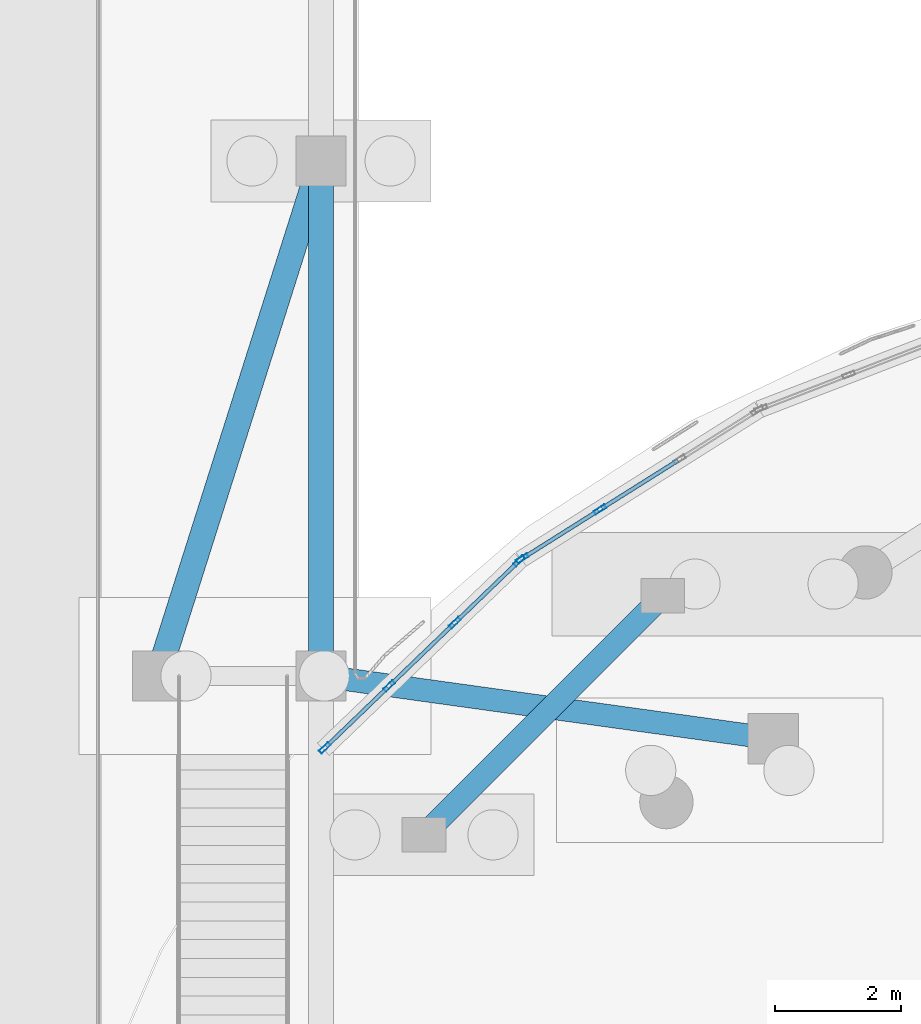
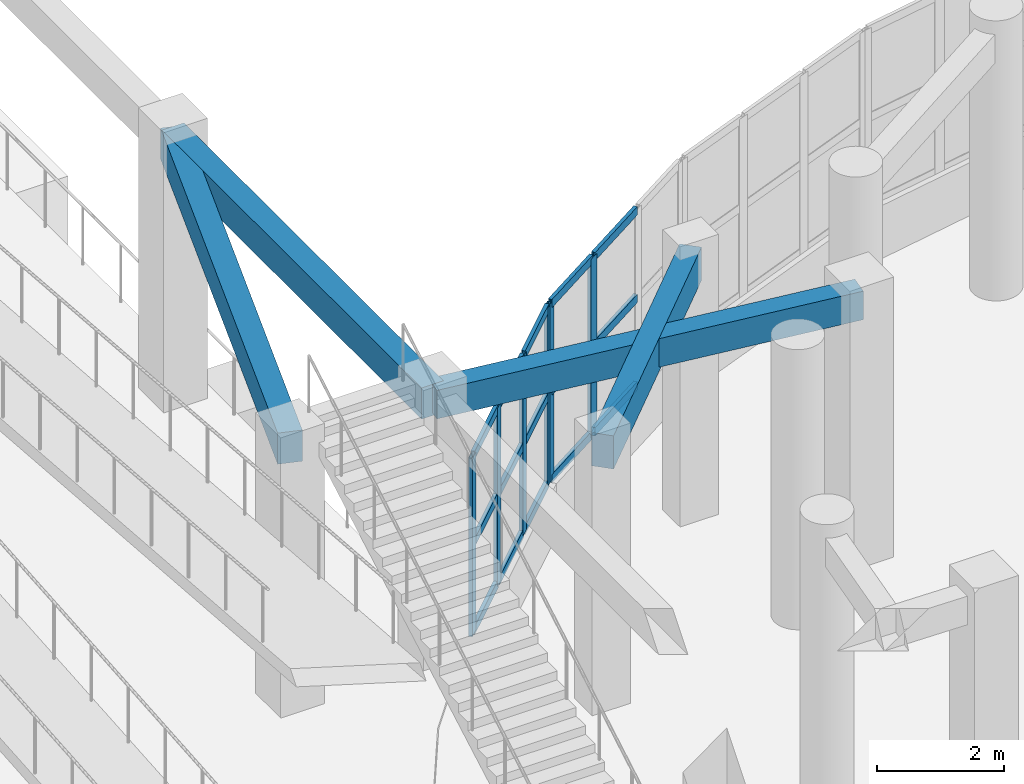
# One storey, part 35 of 96: 21 members, 4 beams, 2 elements without a shape of their own.
"""IFC4 building model written with IfcOpenShell, lengths in metres."""

from ifc_helpers import new_model, si_unit, direction, frame, origin, origin_2d, place, context, subcontext, project, spatial, rectangle, hollow_rectangle, extrude, material, layer, layer_set, material_profile, profile_set, type_object, element, aggregate, save


model = new_model("IFC4")

# Units and contexts
model_context = context("Model", 3, precision=1e-05, world=origin(), true_north=direction((0.0, 1.0)))
body_context = subcontext(model_context, "Body", "Model", "MODEL_VIEW")
ifc_project = project(units=[si_unit("LENGTHUNIT", "METRE"), si_unit("AREAUNIT", "SQUARE_METRE"), si_unit("VOLUMEUNIT", "CUBIC_METRE"), si_unit("PLANEANGLEUNIT", "RADIAN"), si_unit("MASSUNIT", "GRAM", prefix="KILO")], contexts=[model_context])

# Site, building, storey
site_placement = place(None, origin())
site = spatial("IfcSite", under=ifc_project, at=site_placement, CompositionType="ELEMENT")
building_placement = place(site_placement, origin())
building = spatial("IfcBuilding", under=site, at=building_placement, Name="Pelvatis Terrace Science Centre", CompositionType="ELEMENT")
storey_placement = place(building_placement, origin())
storey = spatial("IfcBuildingStorey", under=building, at=storey_placement, Name="L00", CompositionType="ELEMENT", Elevation=0.0)

# Beams
ifc_material_1 = material(Name="Concrete C35/45", Category="concrete")
ifc_material_profile_1 = material_profile(ifc_material_1, rectangle(XDim=0.360107421875, YDim=0.550048828125, at=origin_2d()), Name="RC-BM 360x550")
ifc_profile_set_1 = profile_set([ifc_material_profile_1], Name="Concrete C35/45")
beam_type_1 = type_object("IfcBeamType", Name="BM-RC-360x550", PredefinedType="BEAM", material=ifc_profile_set_1)
beam_1_placement = place(storey_placement, frame((58.199951171875, 65.800048828125, 4.864990234375), z_axis=(0.990492146053, -0.13756928657, 0.0), x_axis=(0.13756928657, 0.990492146053, 0.0)))
element("IfcBeam", 1, at=beam_1_placement, inside=storey, type_object=beam_type_1, Name="Beam BM-L00-2532", PredefinedType="BEAM", context=body_context, shape_type="SweptSolid", body=[
    extrude(rectangle(XDim=0.360107421875, YDim=0.550048828125, at=origin_2d()), origin(), (0.0, 0.0, 1.0), 7.26904296875),
])
ifc_material_2 = material(Name="Concrete C35/45", Category="concrete")
ifc_material_profile_2 = material_profile(ifc_material_2, rectangle(XDim=0.39990234375, YDim=0.60009765625, at=origin_2d()), Name="RC-BM 400x600")
ifc_profile_set_2 = profile_set([ifc_material_profile_2], Name="Concrete C35/45")
beam_type_2 = type_object("IfcBeamType", Name="BM-RC-400x600", PredefinedType="BEAM", material=ifc_profile_set_2)
beam_2_placement = place(storey_placement, frame((58.199951171875, 65.800048828125, 4.840087890625), z_axis=(0.0, 1.0, 0.0), x_axis=(-1.0, 0.0, 0.0)))
element("IfcBeam", 2, at=beam_2_placement, inside=storey, type_object=beam_type_2, Name="Beam BM-L00-2531", PredefinedType="BEAM", context=body_context, shape_type="SweptSolid", body=[
    extrude(rectangle(XDim=0.39990234375, YDim=0.60009765625, at=origin_2d()), origin(), (0.0, 0.0, 1.0), 8.199951171875),
])
beam_3_placement = place(storey_placement, frame((58.199951171875, 74.0, 4.840087890625), z_axis=(-0.302230023012, -0.953235025159, 0.0), x_axis=(0.953235025159, -0.302230023012, 0.0)))
element("IfcBeam", 3, at=beam_3_placement, inside=storey, type_object=beam_type_2, Name="Beam BM-L00-2534", PredefinedType="BEAM", context=body_context, shape_type="SweptSolid", body=[
    extrude(rectangle(XDim=0.39990234375, YDim=0.60009765625, at=origin_2d()), origin(), (0.0, 0.0, 1.0), 8.602294921875),
])

# Curtain wall, members
ifc_material_3 = material(Name="Bronze-anodised aluminium and laminated glass", Category="aluminium")
ifc_layer = layer(ifc_material_3, 0.199951171875)
ifc_layer_set = layer_set([ifc_layer], Name="Bronze-anodised aluminium and laminated glass")
curtain_wall_type = type_object("IfcCurtainWallType", Name="CW-RIBBON-B", PredefinedType="NOTDEFINED", material=ifc_layer_set)
curtain_wall_1_placement = place(storey_placement, origin())
curtain_wall_1 = element("IfcCurtainWall", 4, at=curtain_wall_1_placement, inside=storey, type_object=curtain_wall_type, Name="Ribbon curtain wall CW-049 (L00)", PredefinedType="NOTDEFINED")
ifc_material_4 = material(Name="Bronze-anodised aluminium 6063-T6", Category="aluminium")
ifc_material_profile_3 = material_profile(ifc_material_4, hollow_rectangle(XDim=0.06494140625, YDim=0.199951171875, WallThickness=0.00439453125, at=origin_2d()), Name="ALU-MUL 65x200")
ifc_profile_set_3 = profile_set([ifc_material_profile_3], Name="Bronze-anodised aluminium 6063-T6")
member_type_1 = type_object("IfcMemberType", Name="CWM-65x200", PredefinedType="MULLION", material=ifc_profile_set_3)
member_1_placement = place(storey_placement, frame((62.6435546875, 68.450927734375, 1.02001953125), z_axis=(0.0, 0.0, 1.0), x_axis=(0.532700945499, -0.846303552317, 0.0)))
member_1 = element("IfcMember", 5, at=member_1_placement, type_object=member_type_1, Name="CW-049 mullion 3", PredefinedType="MULLION", context=body_context, shape_type="SweptSolid", body=[
    extrude(hollow_rectangle(XDim=0.06494140625, YDim=0.199951171875, WallThickness=0.00439453125, at=origin_2d()), origin(), (0.0, 0.0, 1.0), 3.43994140625),
])
member_2_placement = place(storey_placement, frame((61.405517578125, 67.671630859375, 1.02001953125), z_axis=(0.0, 0.0, 1.0), x_axis=(0.532700945499, -0.846303552317, 0.0)))
member_2 = element("IfcMember", 6, at=member_2_placement, type_object=member_type_1, Name="CW-049 mullion 4", PredefinedType="MULLION", context=body_context, shape_type="SweptSolid", body=[
    extrude(hollow_rectangle(XDim=0.06494140625, YDim=0.199951171875, WallThickness=0.00439453125, at=origin_2d()), origin(), (0.0, 0.0, 1.0), 3.43994140625),
])

curtain_wall_2_placement = place(storey_placement, origin())
curtain_wall_2 = element("IfcCurtainWall", 7, at=curtain_wall_2_placement, inside=storey, type_object=curtain_wall_type, Name="Ribbon curtain wall CW-050 (L00)", PredefinedType="NOTDEFINED")
member_3_placement = place(storey_placement, frame((61.3544921875, 67.631591796875, 1.02001953125), z_axis=(0.0, 0.0, 1.0), x_axis=(0.693369132291, -0.720582574301, 0.0)))
member_3 = element("IfcMember", 8, at=member_3_placement, type_object=member_type_1, Name="CW-050 mullion 1", PredefinedType="MULLION", context=body_context, shape_type="SweptSolid", body=[
    extrude(hollow_rectangle(XDim=0.06494140625, YDim=0.199951171875, WallThickness=0.00439453125, at=origin_2d()), origin(), (0.0, 0.0, 1.0), 3.43994140625),
])
member_4_placement = place(storey_placement, frame((60.331298828125, 66.64697265625, 1.02001953125), z_axis=(0.0, 0.0, 1.0), x_axis=(0.693369132291, -0.720582574301, 0.0)))
member_4 = element("IfcMember", 9, at=member_4_placement, type_object=member_type_1, Name="CW-050 mullion 2", PredefinedType="MULLION", context=body_context, shape_type="SweptSolid", body=[
    extrude(hollow_rectangle(XDim=0.06494140625, YDim=0.199951171875, WallThickness=0.00439453125, at=origin_2d()), origin(), (0.0, 0.0, 1.0), 3.43994140625),
])
member_5_placement = place(storey_placement, frame((59.284423828125, 65.6396484375, 1.02001953125), z_axis=(0.0, 0.0, 1.0), x_axis=(0.693369132291, -0.720582574301, 0.0)))
member_5 = element("IfcMember", 10, at=member_5_placement, type_object=member_type_1, Name="CW-050 mullion 3", PredefinedType="MULLION", context=body_context, shape_type="SweptSolid", body=[
    extrude(hollow_rectangle(XDim=0.06494140625, YDim=0.199951171875, WallThickness=0.00439453125, at=origin_2d()), origin(), (0.0, 0.0, 1.0), 3.43994140625),
])
member_6_placement = place(storey_placement, frame((58.260986328125, 64.655029296875, 1.02001953125), z_axis=(0.0, 0.0, 1.0), x_axis=(0.693369132291, -0.720582574301, 0.0)))
member_6 = element("IfcMember", 11, at=member_6_placement, type_object=member_type_1, Name="CW-050 mullion 4", PredefinedType="MULLION", context=body_context, shape_type="SweptSolid", body=[
    extrude(hollow_rectangle(XDim=0.06494140625, YDim=0.199951171875, WallThickness=0.00439453125, at=origin_2d()), origin(), (0.0, 0.0, 1.0), 3.43994140625),
])

# Member
ifc_material_5 = material(Name="Bronze-anodised aluminium 6063-T6", Category="aluminium")
ifc_material_profile_4 = material_profile(ifc_material_5, hollow_rectangle(XDim=0.06494140625, YDim=0.159912109375, WallThickness=0.00390625, at=origin_2d()), Name="ALU-TRN 65x160")
ifc_profile_set_4 = profile_set([ifc_material_profile_4], Name="Bronze-anodised aluminium 6063-T6")
member_type_2 = type_object("IfcMemberType", Name="CWT-65x160", PredefinedType="USERDEFINED", material=ifc_profile_set_4)
member_7_placement = place(storey_placement, frame((63.8818359375, 69.230224609375, 1.052490234375), z_axis=(-0.846335425509, -0.532650305105, 0.0), x_axis=(0.532650305105, -0.846335425509, 0.0)))
member_7 = element("IfcMember", 12, at=member_7_placement, type_object=member_type_2, Name="CW-049 transom 2.1", ObjectType="TRANSOM", PredefinedType="USERDEFINED", context=body_context, shape_type="SweptSolid", body=[
    extrude(hollow_rectangle(XDim=0.06494140625, YDim=0.159912109375, WallThickness=0.00390625, at=origin_2d()), origin(), (0.0, 0.0, 1.0), 1.430419921875),
])

member_8_placement = place(storey_placement, frame((63.8818359375, 69.230224609375, 2.739990234375), z_axis=(-0.846335425509, -0.532650305105, 0.0), x_axis=(0.532650305105, -0.846335425509, 0.0)))
member_8 = element("IfcMember", 13, at=member_8_placement, type_object=member_type_2, Name="CW-049 transom 2.2", ObjectType="TRANSOM", PredefinedType="USERDEFINED", context=body_context, shape_type="SweptSolid", body=[
    extrude(hollow_rectangle(XDim=0.06494140625, YDim=0.159912109375, WallThickness=0.00390625, at=origin_2d()), origin(), (0.0, 0.0, 1.0), 1.430419921875),
])

member_9_placement = place(storey_placement, frame((63.8818359375, 69.230224609375, 4.427490234375), z_axis=(-0.846335425509, -0.532650305105, 0.0), x_axis=(0.532650305105, -0.846335425509, 0.0)))
member_9 = element("IfcMember", 14, at=member_9_placement, type_object=member_type_2, Name="CW-049 transom 2.3", ObjectType="TRANSOM", PredefinedType="USERDEFINED", context=body_context, shape_type="SweptSolid", body=[
    extrude(hollow_rectangle(XDim=0.06494140625, YDim=0.159912109375, WallThickness=0.00390625, at=origin_2d()), origin(), (0.0, 0.0, 1.0), 1.430419921875),
])

member_10_placement = place(storey_placement, frame((62.6162109375, 68.43359375, 1.052490234375), z_axis=(-0.846247420699, -0.532790111546, 0.0), x_axis=(0.532790111546, -0.846247420699, 0.0)))
member_10 = element("IfcMember", 15, at=member_10_placement, type_object=member_type_2, Name="CW-049 transom 3.1", ObjectType="TRANSOM", PredefinedType="USERDEFINED", context=body_context, shape_type="SweptSolid", body=[
    extrude(hollow_rectangle(XDim=0.06494140625, YDim=0.159912109375, WallThickness=0.00390625, at=origin_2d()), origin(), (0.0, 0.0, 1.0), 1.39794921875),
])

member_11_placement = place(storey_placement, frame((62.6162109375, 68.43359375, 2.739990234375), z_axis=(-0.846247420699, -0.532790111546, 0.0), x_axis=(0.532790111546, -0.846247420699, 0.0)))
member_11 = element("IfcMember", 16, at=member_11_placement, type_object=member_type_2, Name="CW-049 transom 3.2", ObjectType="TRANSOM", PredefinedType="USERDEFINED", context=body_context, shape_type="SweptSolid", body=[
    extrude(hollow_rectangle(XDim=0.06494140625, YDim=0.159912109375, WallThickness=0.00390625, at=origin_2d()), origin(), (0.0, 0.0, 1.0), 1.39794921875),
])

member_12_placement = place(storey_placement, frame((62.6162109375, 68.43359375, 4.427490234375), z_axis=(-0.846247420699, -0.532790111546, 0.0), x_axis=(0.532790111546, -0.846247420699, 0.0)))
member_12 = element("IfcMember", 17, at=member_12_placement, type_object=member_type_2, Name="CW-049 transom 3.3", ObjectType="TRANSOM", PredefinedType="USERDEFINED", context=body_context, shape_type="SweptSolid", body=[
    extrude(hollow_rectangle(XDim=0.06494140625, YDim=0.159912109375, WallThickness=0.00390625, at=origin_2d()), origin(), (0.0, 0.0, 1.0), 1.39794921875),
])

aggregate(curtain_wall_1, [member_1, member_2, member_7, member_8, member_9, member_10, member_11, member_12])

member_13_placement = place(storey_placement, frame((61.3310546875, 67.609130859375, 1.052490234375), z_axis=(-0.720490229028, -0.693465089154, 0.0), x_axis=(0.693465089154, -0.720490229028, 0.0)))
member_13 = element("IfcMember", 18, at=member_13_placement, type_object=member_type_2, Name="CW-050 transom 1.1", ObjectType="TRANSOM", PredefinedType="USERDEFINED", context=body_context, shape_type="SweptSolid", body=[
    extrude(hollow_rectangle(XDim=0.06494140625, YDim=0.159912109375, WallThickness=0.00390625, at=origin_2d()), origin(), (0.0, 0.0, 1.0), 1.35498046875),
])

member_14_placement = place(storey_placement, frame((61.3310546875, 67.609130859375, 2.739990234375), z_axis=(-0.720490229028, -0.693465089154, 0.0), x_axis=(0.693465089154, -0.720490229028, 0.0)))
member_14 = element("IfcMember", 19, at=member_14_placement, type_object=member_type_2, Name="CW-050 transom 1.2", ObjectType="TRANSOM", PredefinedType="USERDEFINED", context=body_context, shape_type="SweptSolid", body=[
    extrude(hollow_rectangle(XDim=0.06494140625, YDim=0.159912109375, WallThickness=0.00390625, at=origin_2d()), origin(), (0.0, 0.0, 1.0), 1.35498046875),
])

member_15_placement = place(storey_placement, frame((61.3310546875, 67.609130859375, 4.427490234375), z_axis=(-0.720490229028, -0.693465089154, 0.0), x_axis=(0.693465089154, -0.720490229028, 0.0)))
member_15 = element("IfcMember", 20, at=member_15_placement, type_object=member_type_2, Name="CW-050 transom 1.3", ObjectType="TRANSOM", PredefinedType="USERDEFINED", context=body_context, shape_type="SweptSolid", body=[
    extrude(hollow_rectangle(XDim=0.06494140625, YDim=0.159912109375, WallThickness=0.00390625, at=origin_2d()), origin(), (0.0, 0.0, 1.0), 1.35498046875),
])

member_16_placement = place(storey_placement, frame((60.307861328125, 66.62451171875, 1.052490234375), z_axis=(-0.72052200849, -0.693432069695, 0.0), x_axis=(0.693432069695, -0.72052200849, 0.0)))
member_16 = element("IfcMember", 21, at=member_16_placement, type_object=member_type_2, Name="CW-050 transom 2.1", ObjectType="TRANSOM", PredefinedType="USERDEFINED", context=body_context, shape_type="SweptSolid", body=[
    extrude(hollow_rectangle(XDim=0.06494140625, YDim=0.159912109375, WallThickness=0.00390625, at=origin_2d()), origin(), (0.0, 0.0, 1.0), 1.387939453125),
])

member_17_placement = place(storey_placement, frame((60.307861328125, 66.62451171875, 2.739990234375), z_axis=(-0.72052200849, -0.693432069695, 0.0), x_axis=(0.693432069695, -0.72052200849, 0.0)))
member_17 = element("IfcMember", 22, at=member_17_placement, type_object=member_type_2, Name="CW-050 transom 2.2", ObjectType="TRANSOM", PredefinedType="USERDEFINED", context=body_context, shape_type="SweptSolid", body=[
    extrude(hollow_rectangle(XDim=0.06494140625, YDim=0.159912109375, WallThickness=0.00390625, at=origin_2d()), origin(), (0.0, 0.0, 1.0), 1.387939453125),
])

member_18_placement = place(storey_placement, frame((60.307861328125, 66.62451171875, 4.427490234375), z_axis=(-0.72052200849, -0.693432069695, 0.0), x_axis=(0.693432069695, -0.72052200849, 0.0)))
member_18 = element("IfcMember", 23, at=member_18_placement, type_object=member_type_2, Name="CW-050 transom 2.3", ObjectType="TRANSOM", PredefinedType="USERDEFINED", context=body_context, shape_type="SweptSolid", body=[
    extrude(hollow_rectangle(XDim=0.06494140625, YDim=0.159912109375, WallThickness=0.00390625, at=origin_2d()), origin(), (0.0, 0.0, 1.0), 1.387939453125),
])

member_19_placement = place(storey_placement, frame((59.260986328125, 65.6171875, 1.052490234375), z_axis=(-0.720576853646, -0.693375077421, 0.0), x_axis=(0.693375077421, -0.720576853646, 0.0)))
member_19 = element("IfcMember", 24, at=member_19_placement, type_object=member_type_2, Name="CW-050 transom 3.1", ObjectType="TRANSOM", PredefinedType="USERDEFINED", context=body_context, shape_type="SweptSolid", body=[
    extrude(hollow_rectangle(XDim=0.06494140625, YDim=0.159912109375, WallThickness=0.00390625, at=origin_2d()), origin(), (0.0, 0.0, 1.0), 1.355224609375),
])

member_20_placement = place(storey_placement, frame((59.260986328125, 65.6171875, 2.739990234375), z_axis=(-0.720576853646, -0.693375077421, 0.0), x_axis=(0.693375077421, -0.720576853646, 0.0)))
member_20 = element("IfcMember", 25, at=member_20_placement, type_object=member_type_2, Name="CW-050 transom 3.2", ObjectType="TRANSOM", PredefinedType="USERDEFINED", context=body_context, shape_type="SweptSolid", body=[
    extrude(hollow_rectangle(XDim=0.06494140625, YDim=0.159912109375, WallThickness=0.00390625, at=origin_2d()), origin(), (0.0, 0.0, 1.0), 1.355224609375),
])

member_21_placement = place(storey_placement, frame((59.260986328125, 65.6171875, 4.427490234375), z_axis=(-0.720576853646, -0.693375077421, 0.0), x_axis=(0.693375077421, -0.720576853646, 0.0)))
member_21 = element("IfcMember", 26, at=member_21_placement, type_object=member_type_2, Name="CW-050 transom 3.3", ObjectType="TRANSOM", PredefinedType="USERDEFINED", context=body_context, shape_type="SweptSolid", body=[
    extrude(hollow_rectangle(XDim=0.06494140625, YDim=0.159912109375, WallThickness=0.00390625, at=origin_2d()), origin(), (0.0, 0.0, 1.0), 1.355224609375),
])

aggregate(curtain_wall_2, [member_3, member_4, member_5, member_6, member_13, member_14, member_15, member_16, member_17, member_18, member_19, member_20, member_21])

# Beam
ifc_material_6 = material(Name="Concrete C35/45", Category="concrete")
ifc_material_profile_5 = material_profile(ifc_material_6, rectangle(XDim=0.360107421875, YDim=0.639892578125, at=origin_2d()), Name="RC-SPN 360x640")
ifc_profile_set_5 = profile_set([ifc_material_profile_5], Name="Concrete C35/45")
beam_type_3 = type_object("IfcBeamType", Name="SPN-RC-360x640", PredefinedType="SPANDREL", material=ifc_profile_set_5)
beam_4_placement = place(storey_placement, frame((63.640869140625, 67.076904296875, 4.820068359375), z_axis=(-0.70663024078, -0.707583000655, 0.0), x_axis=(0.707583000655, -0.70663024078, 0.0)))
element("IfcBeam", 27, at=beam_4_placement, inside=storey, type_object=beam_type_3, Name="Spandrel SP-L00-2301", PredefinedType="SPANDREL", context=body_context, shape_type="SweptSolid", body=[
    extrude(rectangle(XDim=0.360107421875, YDim=0.639892578125, at=origin_2d()), origin(), (0.0, 0.0, 1.0), 5.381103515625),
])

save(model, "model.ifc")
